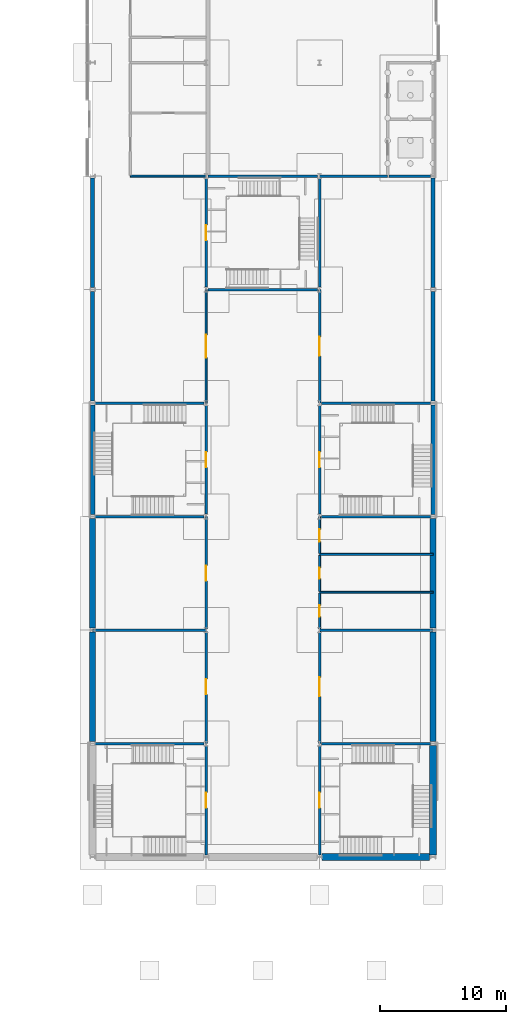
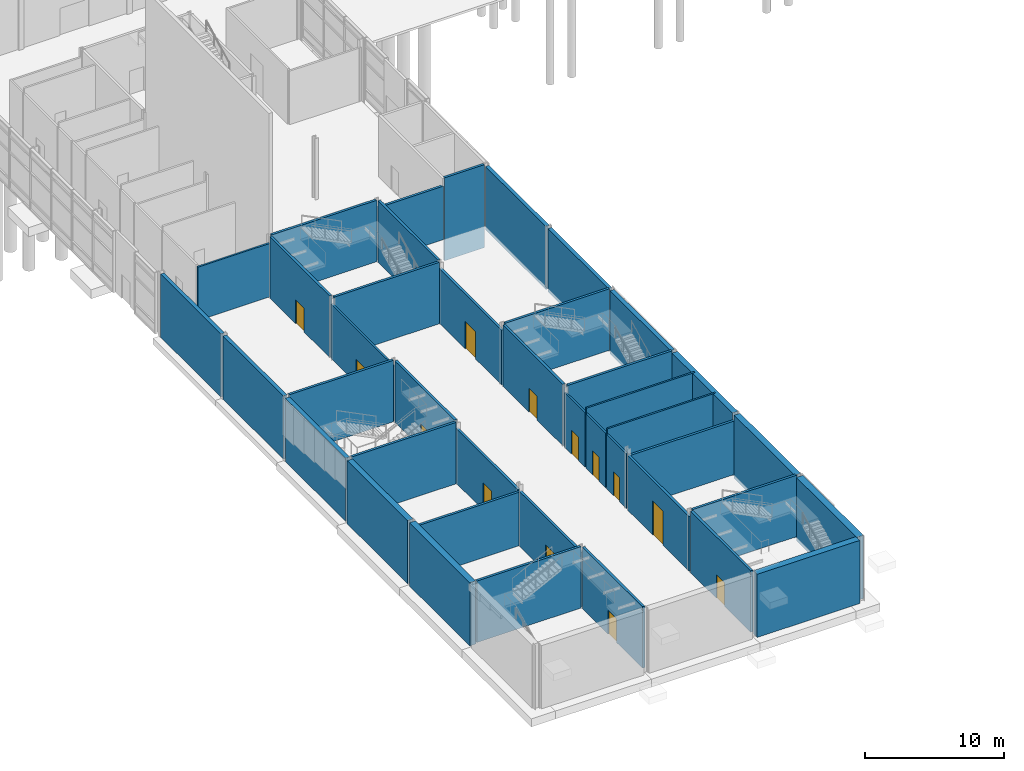
# One storey, part 26 of 45: 41 walls, 13 doors, 13 openings.
"""IFC4 building model written with IfcOpenShell, lengths in metres."""

from ifc_helpers import new_model, si_unit, direction, frame, frame_2d, origin, place, context, subcontext, project, spatial, rectangle, extrude, material, layer, layer_set, type_object, element, fill, save


model = new_model("IFC4")

# Units and contexts
model_context = context("Model", 3, precision=1e-05, world=origin(), true_north=direction((0.0, 1.0)))
body_context = subcontext(model_context, "Body", "Model", "MODEL_VIEW")
ifc_project = project(units=[si_unit("LENGTHUNIT", "METRE"), si_unit("AREAUNIT", "SQUARE_METRE"), si_unit("VOLUMEUNIT", "CUBIC_METRE"), si_unit("PLANEANGLEUNIT", "RADIAN"), si_unit("MASSUNIT", "GRAM", prefix="KILO")], contexts=[model_context])

# Site, building, storey
site_placement = place(None, origin())
site = spatial("IfcSite", under=ifc_project, at=site_placement, CompositionType="ELEMENT")
building_placement = place(site_placement, origin())
building = spatial("IfcBuilding", under=site, at=building_placement, Name="Azimuth Sports and Learning Centre", CompositionType="ELEMENT")
storey_placement = place(building_placement, origin())
storey = spatial("IfcBuildingStorey", under=building, at=storey_placement, Name="L00", CompositionType="ELEMENT", Elevation=0.0)

# Walls
ifc_material_1 = material(Name="Lightweight blockwork, rendered", Category="masonry")
ifc_layer_1 = layer(ifc_material_1, 0.14990234375)
ifc_layer_set_1 = layer_set([ifc_layer_1], Name="Lightweight blockwork, rendered")
wall_type_1 = type_object("IfcWallType", Name="Partition 150 EI 60", PredefinedType="PARTITIONING", material=ifc_layer_set_1)
for number, where, z_axis, x_axis, name in (
    (1, (90.0, 21.0, 0.0), (0.0, 0.0, 1.0), (1.0, 0.0, 0.0), "Partition 150 EI 60"),
    (2, (90.0, 24.0, 0.0), (0.0, 0.0, 1.0), (1.0, 0.0, 0.0), "Partition 150 EI 60"),
):
    element("IfcWall", number, at=place(storey_placement, frame(where, z_axis=z_axis, x_axis=x_axis)), inside=storey, type_object=wall_type_1, Name=name, PredefinedType="PARTITIONING", context=body_context, shape_type="SweptSolid", body=[
        extrude(rectangle(XDim=9.0, YDim=0.14990234375, at=frame_2d((4.5, 0.0))), origin(), (0.0, 0.0, 1.0), 5.25),
    ])
wall_1_placement = place(storey_placement, frame((75.0, 54.0, 0.0), z_axis=(0.0, 0.0, 1.0), x_axis=(1.0, 0.0, 0.0)))
element("IfcWall", 3, at=wall_1_placement, inside=storey, type_object=wall_type_1, Name="Partition 150 EI 60", PredefinedType="PARTITIONING", context=body_context, shape_type="SweptSolid", body=[
    extrude(rectangle(XDim=6.0, YDim=0.14990234375, at=frame_2d((3.0, 0.0))), origin(), (0.0, 0.0, 1.0), 4.699951171875),
])

# Wall, opening, door
wall_2_placement = place(storey_placement, frame((81.0, 36.0, 0.0), z_axis=(0.0, 0.0, 1.0), x_axis=(0.0, 1.0, 0.0)))
wall_2 = element("IfcWall", 4, at=wall_2_placement, inside=storey, type_object=wall_type_1, Name="Partition 150 EI 60", PredefinedType="PARTITIONING", context=body_context, shape_type="SweptSolid", body=[
    extrude(rectangle(XDim=9.0, YDim=0.14990234375, at=frame_2d((4.5, 0.0))), origin(), (0.0, 0.0, 1.0), 4.800048828125),
])
opening_1_placement = place(wall_2_placement, frame((3.60009765625, 0.0, 0.0)))
opening_1 = element("IfcOpeningElement", 5, at=opening_1_placement, cuts=wall_2, Name="Opening D00-089", PredefinedType="OPENING", context=body_context, shape_type="SweptSolid", body=[
    extrude(rectangle(XDim=1.800048828125, YDim=2.10009765625, at=frame_2d((0.89990234375, 1.050048828125))), frame((0.0, 0.0859375, 0.0), z_axis=(0.0, -1.0, 0.0), x_axis=(1.0, 0.0, 0.0)), (0.0, 0.0, 1.0), 0.171875),
])
ifc_material_2 = material(Name="Timber fire door set", Category="wood")
door_type_1 = type_object("IfcDoorType", Name="Timber door double 1800x2100 FD60", OperationType="DOUBLE_DOOR_SINGLE_SWING", PredefinedType="DOOR", material=ifc_material_2)
door_1_placement = place(opening_1_placement, origin())
door_1 = element("IfcDoor", 6, at=door_1_placement, inside=storey, type_object=door_type_1, Name="Door D00-089", OperationType="DOUBLE_DOOR_SINGLE_SWING", OverallHeight=2.10009765625, OverallWidth=1.800048828125, PredefinedType="DOOR", context=body_context, shape_type="SweptSolid", body=[
    extrude(rectangle(XDim=1.800048828125, YDim=2.10009765625, at=frame_2d((0.89990234375, 1.050048828125))), frame((0.0, 0.02490234375, 0.0), z_axis=(0.0, -1.0, 0.0), x_axis=(1.0, 0.0, 0.0)), (0.0, 0.0, 1.0), 0.050048828125),
])
fill(opening_1, door_1)

wall_3_placement = place(storey_placement, frame((90.0, 18.10009765625, 0.0), z_axis=(0.0, 0.0, 1.0), x_axis=(0.0, 1.0, 0.0)))
wall_3 = element("IfcWall", 7, at=wall_3_placement, inside=storey, type_object=wall_type_1, Name="Partition 150 EI 60", PredefinedType="PARTITIONING", context=body_context, shape_type="SweptSolid", body=[
    extrude(rectangle(XDim=2.824951171875, YDim=0.14990234375, at=frame_2d((1.41259765625, 0.0))), origin(), (0.0, 0.0, 1.0), 4.800048828125),
])
opening_2_placement = place(wall_3_placement, frame((0.949951171875, 0.0, 0.0)))
opening_2 = element("IfcOpeningElement", 8, at=opening_2_placement, cuts=wall_3, Name="Opening D00-106", PredefinedType="OPENING", context=body_context, shape_type="SweptSolid", body=[
    extrude(rectangle(XDim=0.89990234375, YDim=2.10009765625, at=frame_2d((0.449951171875, 1.050048828125))), frame((0.0, 0.0859375, 0.0), z_axis=(0.0, -1.0, 0.0), x_axis=(1.0, 0.0, 0.0)), (0.0, 0.0, 1.0), 0.171875),
])
ifc_material_3 = material(Name="Timber fire door set", Category="wood")
door_type_2 = type_object("IfcDoorType", Name="Timber door single 900x2100 FD60", OperationType="NOTDEFINED", PredefinedType="DOOR", material=ifc_material_3)
door_2_placement = place(opening_2_placement, frame((0.89990234375, 0.0, 0.0), z_axis=(0.0, 0.0, 1.0), x_axis=(-1.0, 0.0, 0.0)))
door_2 = element("IfcDoor", 9, at=door_2_placement, inside=storey, type_object=door_type_2, Name="Door D00-106", OperationType="SINGLE_SWING_RIGHT", OverallHeight=2.10009765625, OverallWidth=0.89990234375, PredefinedType="DOOR", context=body_context, shape_type="SweptSolid", body=[
    extrude(rectangle(XDim=0.89990234375, YDim=2.10009765625, at=frame_2d((0.449951171875, 1.050048828125))), frame((0.0, 0.02490234375, 0.0), z_axis=(0.0, -1.0, 0.0), x_axis=(1.0, 0.0, 0.0)), (0.0, 0.0, 1.0), 0.050048828125),
])
fill(opening_2, door_2)

wall_4_placement = place(storey_placement, frame((90.0, 21.074951171875, 0.0), z_axis=(0.0, 0.0, 1.0), x_axis=(0.0, 1.0, 0.0)))
wall_4 = element("IfcWall", 10, at=wall_4_placement, inside=storey, type_object=wall_type_1, Name="Partition 150 EI 60", PredefinedType="PARTITIONING", context=body_context, shape_type="SweptSolid", body=[
    extrude(rectangle(XDim=2.85009765625, YDim=0.14990234375, at=frame_2d((1.425048828125, 0.0))), origin(), (0.0, 0.0, 1.0), 4.800048828125),
])
opening_3_placement = place(wall_4_placement, frame((0.97509765625, 0.0, 0.0)))
opening_3 = element("IfcOpeningElement", 11, at=opening_3_placement, cuts=wall_4, Name="Opening D00-107", PredefinedType="OPENING", context=body_context, shape_type="SweptSolid", body=[
    extrude(rectangle(XDim=0.89990234375, YDim=2.10009765625, at=frame_2d((0.449951171875, 1.050048828125))), frame((0.0, 0.0859375, 0.0), z_axis=(0.0, -1.0, 0.0), x_axis=(1.0, 0.0, 0.0)), (0.0, 0.0, 1.0), 0.171875),
])
door_3_placement = place(opening_3_placement, frame((0.89990234375, 0.0, 0.0), z_axis=(0.0, 0.0, 1.0), x_axis=(-1.0, 0.0, 0.0)))
door_3 = element("IfcDoor", 12, at=door_3_placement, inside=storey, type_object=door_type_2, Name="Door D00-107", OperationType="SINGLE_SWING_RIGHT", OverallHeight=2.10009765625, OverallWidth=0.89990234375, PredefinedType="DOOR", context=body_context, shape_type="SweptSolid", body=[
    extrude(rectangle(XDim=0.89990234375, YDim=2.10009765625, at=frame_2d((0.449951171875, 1.050048828125))), frame((0.0, 0.02490234375, 0.0), z_axis=(0.0, -1.0, 0.0), x_axis=(1.0, 0.0, 0.0)), (0.0, 0.0, 1.0), 0.050048828125),
])
fill(opening_3, door_3)

wall_5_placement = place(storey_placement, frame((90.0, 24.074951171875, 0.0), z_axis=(0.0, 0.0, 1.0), x_axis=(0.0, 1.0, 0.0)))
wall_5 = element("IfcWall", 13, at=wall_5_placement, inside=storey, type_object=wall_type_1, Name="Partition 150 EI 60", PredefinedType="PARTITIONING", context=body_context, shape_type="SweptSolid", body=[
    extrude(rectangle(XDim=2.925048828125, YDim=0.14990234375, at=frame_2d((1.46240234375, 0.0))), origin(), (0.0, 0.0, 1.0), 4.800048828125),
])
opening_4_placement = place(wall_5_placement, frame((0.925048828125, 0.0, 0.0)))
opening_4 = element("IfcOpeningElement", 14, at=opening_4_placement, cuts=wall_5, Name="Opening D00-108", PredefinedType="OPENING", context=body_context, shape_type="SweptSolid", body=[
    extrude(rectangle(XDim=1.0, YDim=2.10009765625, at=frame_2d((0.5, 1.050048828125))), frame((0.0, 0.0859375, 0.0), z_axis=(0.0, -1.0, 0.0), x_axis=(1.0, 0.0, 0.0)), (0.0, 0.0, 1.0), 0.171875),
])
ifc_material_4 = material(Name="Timber fire door set", Category="wood")
door_type_3 = type_object("IfcDoorType", Name="Timber door single 1000x2100 FD60", OperationType="NOTDEFINED", PredefinedType="DOOR", material=ifc_material_4)
door_4_placement = place(opening_4_placement, frame((1.0, 0.0, 0.0), z_axis=(0.0, 0.0, 1.0), x_axis=(-1.0, 0.0, 0.0)))
door_4 = element("IfcDoor", 15, at=door_4_placement, inside=storey, type_object=door_type_3, Name="Door D00-108", OperationType="SINGLE_SWING_RIGHT", OverallHeight=2.10009765625, OverallWidth=1.0, PredefinedType="DOOR", context=body_context, shape_type="SweptSolid", body=[
    extrude(rectangle(XDim=1.0, YDim=2.10009765625, at=frame_2d((0.5, 1.050048828125))), frame((0.0, 0.02490234375, 0.0), z_axis=(0.0, -1.0, 0.0), x_axis=(1.0, 0.0, 0.0)), (0.0, 0.0, 1.0), 0.050048828125),
])
fill(opening_4, door_4)

# Walls
ifc_material_5 = material(Name="Reinforced masonry blockwork", Category="masonry")
ifc_layer_2 = layer(ifc_material_5, 0.199951171875)
ifc_layer_set_2 = layer_set([ifc_layer_2], Name="Reinforced masonry blockwork")
wall_type_2 = type_object("IfcWallType", Name="Plant and shaft wall 200 EI 120", PredefinedType="SOLIDWALL", material=ifc_layer_set_2)
for number, where, z_axis, x_axis, name in (
    (16, (72.0, 18.0, 0.0), (0.0, 0.0, 1.0), (1.0, 0.0, 0.0), "Plant and shaft wall 200 EI 120"),
    (17, (90.0, 18.0, 0.0), (0.0, 0.0, 1.0), (1.0, 0.0, 0.0), "Plant and shaft wall 200 EI 120"),
):
    element("IfcWall", number, at=place(storey_placement, frame(where, z_axis=z_axis, x_axis=x_axis)), inside=storey, type_object=wall_type_2, Name=name, PredefinedType="SOLIDWALL", context=body_context, shape_type="SweptSolid", body=[
        extrude(rectangle(XDim=9.0, YDim=0.199951171875, at=frame_2d((4.5, 0.0))), origin(), (0.0, 0.0, 1.0), 4.699951171875),
    ])
wall_6_placement = place(storey_placement, frame((90.0, 54.0, 0.0), z_axis=(0.0, 0.0, 1.0), x_axis=(1.0, 0.0, 0.0)))
element("IfcWall", 18, at=wall_6_placement, inside=storey, type_object=wall_type_2, Name="Plant and shaft wall 200 EI 120", PredefinedType="SOLIDWALL", context=body_context, shape_type="SweptSolid", body=[
    extrude(rectangle(XDim=5.39990234375, YDim=0.199951171875, at=frame_2d((2.699951171875, 0.0))), origin(), (0.0, 0.0, 1.0), 4.699951171875),
])

# Wall, opening, door
wall_7_placement = place(storey_placement, frame((81.0, 9.0, 0.0), z_axis=(0.0, 0.0, 1.0), x_axis=(0.0, 1.0, 0.0)))
wall_7 = element("IfcWall", 19, at=wall_7_placement, inside=storey, type_object=wall_type_2, Name="Plant and shaft wall 200 EI 120", PredefinedType="SOLIDWALL", context=body_context, shape_type="SweptSolid", body=[
    extrude(rectangle(XDim=8.89990234375, YDim=0.199951171875, at=frame_2d((4.449951171875, 0.0))), origin(), (0.0, 0.0, 1.0), 4.800048828125),
])
opening_5_placement = place(wall_7_placement, frame((3.89990234375, 0.0, 0.0)))
opening_5 = element("IfcOpeningElement", 20, at=opening_5_placement, cuts=wall_7, Name="Opening D00-090", PredefinedType="OPENING", context=body_context, shape_type="SweptSolid", body=[
    extrude(rectangle(XDim=1.199951171875, YDim=2.39990234375, at=frame_2d((0.60009765625, 1.199951171875))), frame((0.0, 0.11083984375, 0.0), z_axis=(0.0, -1.0, 0.0), x_axis=(1.0, 0.0, 0.0)), (0.0, 0.0, 1.0), 0.221923828125),
])
ifc_material_6 = material(Name="Steel fire door set", Category="steel")
door_type_4 = type_object("IfcDoorType", Name="Steel door single 1200x2400 FD120", OperationType="NOTDEFINED", PredefinedType="DOOR", material=ifc_material_6)
door_5_placement = place(opening_5_placement, origin())
door_5 = element("IfcDoor", 21, at=door_5_placement, inside=storey, type_object=door_type_4, Name="Door D00-090", OperationType="SINGLE_SWING_RIGHT", OverallHeight=2.39990234375, OverallWidth=1.199951171875, PredefinedType="DOOR", context=body_context, shape_type="SweptSolid", body=[
    extrude(rectangle(XDim=1.199951171875, YDim=2.39990234375, at=frame_2d((0.60009765625, 1.199951171875))), frame((0.0, 0.02490234375, 0.0), z_axis=(0.0, -1.0, 0.0), x_axis=(1.0, 0.0, 0.0)), (0.0, 0.0, 1.0), 0.050048828125),
])
fill(opening_5, door_5)

wall_8_placement = place(storey_placement, frame((81.0, 18.10009765625, 0.0), z_axis=(0.0, 0.0, 1.0), x_axis=(0.0, 1.0, 0.0)))
wall_8 = element("IfcWall", 22, at=wall_8_placement, inside=storey, type_object=wall_type_2, Name="Plant and shaft wall 200 EI 120", PredefinedType="SOLIDWALL", context=body_context, shape_type="SweptSolid", body=[
    extrude(rectangle(XDim=8.89990234375, YDim=0.199951171875, at=frame_2d((4.449951171875, 0.0))), origin(), (0.0, 0.0, 1.0), 4.800048828125),
])
opening_6_placement = place(wall_8_placement, frame((3.800048828125, 0.0, 0.0)))
opening_6 = element("IfcOpeningElement", 23, at=opening_6_placement, cuts=wall_8, Name="Opening D00-091", PredefinedType="OPENING", context=body_context, shape_type="SweptSolid", body=[
    extrude(rectangle(XDim=1.199951171875, YDim=2.39990234375, at=frame_2d((0.60009765625, 1.199951171875))), frame((0.0, 0.11083984375, 0.0), z_axis=(0.0, -1.0, 0.0), x_axis=(1.0, 0.0, 0.0)), (0.0, 0.0, 1.0), 0.221923828125),
])
door_6_placement = place(opening_6_placement, origin())
door_6 = element("IfcDoor", 24, at=door_6_placement, inside=storey, type_object=door_type_4, Name="Door D00-091", OperationType="SINGLE_SWING_LEFT", OverallHeight=2.39990234375, OverallWidth=1.199951171875, PredefinedType="DOOR", context=body_context, shape_type="SweptSolid", body=[
    extrude(rectangle(XDim=1.199951171875, YDim=2.39990234375, at=frame_2d((0.60009765625, 1.199951171875))), frame((0.0, 0.02490234375, 0.0), z_axis=(0.0, -1.0, 0.0), x_axis=(1.0, 0.0, 0.0)), (0.0, 0.0, 1.0), 0.050048828125),
])
fill(opening_6, door_6)

wall_9_placement = place(storey_placement, frame((90.0, 9.0, 0.0), z_axis=(0.0, 0.0, 1.0), x_axis=(0.0, 1.0, 0.0)))
wall_9 = element("IfcWall", 25, at=wall_9_placement, inside=storey, type_object=wall_type_2, Name="Plant and shaft wall 200 EI 120", PredefinedType="SOLIDWALL", context=body_context, shape_type="SweptSolid", body=[
    extrude(rectangle(XDim=8.89990234375, YDim=0.199951171875, at=frame_2d((4.449951171875, 0.0))), origin(), (0.0, 0.0, 1.0), 4.800048828125),
])
opening_7_placement = place(wall_9_placement, frame((3.75, 0.0, 0.0)))
opening_7 = element("IfcOpeningElement", 26, at=opening_7_placement, cuts=wall_9, Name="Opening D00-092", PredefinedType="OPENING", context=body_context, shape_type="SweptSolid", body=[
    extrude(rectangle(XDim=1.5, YDim=3.0, at=frame_2d((0.75, 1.5))), frame((0.0, 0.11083984375, 0.0), z_axis=(0.0, -1.0, 0.0), x_axis=(1.0, 0.0, 0.0)), (0.0, 0.0, 1.0), 0.221923828125),
])
ifc_material_7 = material(Name="Steel fire door set", Category="steel")
door_type_5 = type_object("IfcDoorType", Name="Steel door double 1500x3000 FD120", OperationType="DOUBLE_DOOR_SINGLE_SWING", PredefinedType="DOOR", material=ifc_material_7)
door_7_placement = place(opening_7_placement, frame((1.5, 0.0, 0.0), z_axis=(0.0, 0.0, 1.0), x_axis=(-1.0, 0.0, 0.0)))
door_7 = element("IfcDoor", 27, at=door_7_placement, inside=storey, type_object=door_type_5, Name="Door D00-092", OperationType="DOUBLE_DOOR_SINGLE_SWING", OverallHeight=3.0, OverallWidth=1.5, PredefinedType="DOOR", context=body_context, shape_type="SweptSolid", body=[
    extrude(rectangle(XDim=1.5, YDim=3.0, at=frame_2d((0.75, 1.5))), frame((0.0, 0.02490234375, 0.0), z_axis=(0.0, -1.0, 0.0), x_axis=(1.0, 0.0, 0.0)), (0.0, 0.0, 1.0), 0.050048828125),
])
fill(opening_7, door_7)

wall_10_placement = place(storey_placement, frame((90.0, 36.0, 0.0), z_axis=(0.0, 0.0, 1.0), x_axis=(0.0, 1.0, 0.0)))
wall_10 = element("IfcWall", 28, at=wall_10_placement, inside=storey, type_object=wall_type_2, Name="Plant and shaft wall 200 EI 120", PredefinedType="SOLIDWALL", context=body_context, shape_type="SweptSolid", body=[
    extrude(rectangle(XDim=9.0, YDim=0.199951171875, at=frame_2d((4.5, 0.0))), origin(), (0.0, 0.0, 1.0), 4.800048828125),
])
opening_8_placement = place(wall_10_placement, frame((3.75, 0.0, 0.0)))
opening_8 = element("IfcOpeningElement", 29, at=opening_8_placement, cuts=wall_10, Name="Opening D00-093", PredefinedType="OPENING", context=body_context, shape_type="SweptSolid", body=[
    extrude(rectangle(XDim=1.5, YDim=2.39990234375, at=frame_2d((0.75, 1.199951171875))), frame((0.0, 0.11083984375, 0.0), z_axis=(0.0, -1.0, 0.0), x_axis=(1.0, 0.0, 0.0)), (0.0, 0.0, 1.0), 0.221923828125),
])
ifc_material_8 = material(Name="Steel fire door set", Category="steel")
door_type_6 = type_object("IfcDoorType", Name="Steel door double 1500x2400 FD120", OperationType="DOUBLE_DOOR_SINGLE_SWING", PredefinedType="DOOR", material=ifc_material_8)
door_8_placement = place(opening_8_placement, frame((1.5, 0.0, 0.0), z_axis=(0.0, 0.0, 1.0), x_axis=(-1.0, 0.0, 0.0)))
door_8 = element("IfcDoor", 30, at=door_8_placement, inside=storey, type_object=door_type_6, Name="Door D00-093", OperationType="DOUBLE_DOOR_SINGLE_SWING", OverallHeight=2.39990234375, OverallWidth=1.5, PredefinedType="DOOR", context=body_context, shape_type="SweptSolid", body=[
    extrude(rectangle(XDim=1.5, YDim=2.39990234375, at=frame_2d((0.75, 1.199951171875))), frame((0.0, 0.02490234375, 0.0), z_axis=(0.0, -1.0, 0.0), x_axis=(1.0, 0.0, 0.0)), (0.0, 0.0, 1.0), 0.050048828125),
])
fill(opening_8, door_8)

# Wall
ifc_material_9 = material(Name="Concrete C40/50", Category="concrete")
ifc_layer_3 = layer(ifc_material_9, 0.199951171875)
ifc_layer_set_3 = layer_set([ifc_layer_3], Name="Concrete C40/50")
wall_type_3 = type_object("IfcWallType", Name="RC cell wall 200 EI 120", PredefinedType="SHEAR", material=ifc_layer_set_3)
wall_11_placement = place(storey_placement, frame((72.199951171875, 9.0, 0.0), z_axis=(0.0, 0.0, 1.0), x_axis=(1.0, 0.0, 0.0)))
element("IfcWall", 31, at=wall_11_placement, inside=storey, type_object=wall_type_3, Name="CE-ST1-N-L00", PredefinedType="SHEAR", context=body_context, shape_type="SweptSolid", body=[
    extrude(rectangle(XDim=8.650146484375, YDim=0.199951171875, at=frame_2d((4.3251953125, 0.0))), origin(), (0.0, 0.0, 1.0), 5.39990234375),
])

# Wall, opening, door
wall_12_placement = place(storey_placement, frame((81.0, 0.14990234375, 0.0), z_axis=(0.0, 0.0, 1.0), x_axis=(0.0, 1.0, 0.0)))
wall_12 = element("IfcWall", 32, at=wall_12_placement, inside=storey, type_object=wall_type_3, Name="CE-ST1-E-L00", PredefinedType="SHEAR", context=body_context, shape_type="SweptSolid", body=[
    extrude(rectangle(XDim=8.650146484375, YDim=0.199951171875, at=frame_2d((4.3251953125, 0.0))), origin(), (0.0, 0.0, 1.0), 5.39990234375),
])
opening_9_placement = place(wall_12_placement, frame((3.75, 0.0, 0.0)))
opening_9 = element("IfcOpeningElement", 33, at=opening_9_placement, cuts=wall_12, Name="Opening D00-048", PredefinedType="OPENING", context=body_context, shape_type="SweptSolid", body=[
    extrude(rectangle(XDim=1.199951171875, YDim=2.10009765625, at=frame_2d((0.60009765625, 1.050048828125))), frame((0.0, 0.11083984375, 0.0), z_axis=(0.0, -1.0, 0.0), x_axis=(1.0, 0.0, 0.0)), (0.0, 0.0, 1.0), 0.221923828125),
])
ifc_material_10 = material(Name="Steel", Category="steel")
door_type_7 = type_object("IfcDoorType", Name="Stair fire door 1200 x 2100", OperationType="NOTDEFINED", PredefinedType="DOOR", material=ifc_material_10)
door_9_placement = place(opening_9_placement, frame((1.199951171875, 0.0, 0.0), z_axis=(0.0, 0.0, 1.0), x_axis=(-1.0, 0.0, 0.0)))
door_9 = element("IfcDoor", 34, at=door_9_placement, inside=storey, type_object=door_type_7, Name="Stair door ST1 L00", OperationType="SINGLE_SWING_LEFT", OverallHeight=2.10009765625, OverallWidth=1.199951171875, PredefinedType="DOOR", context=body_context, shape_type="SweptSolid", body=[
    extrude(rectangle(XDim=1.199951171875, YDim=2.10009765625, at=frame_2d((0.60009765625, 1.050048828125))), frame((0.0, 0.02490234375, 0.0), z_axis=(0.0, -1.0, 0.0), x_axis=(1.0, 0.0, 0.0)), (0.0, 0.0, 1.0), 0.050048828125),
])
fill(opening_9, door_9)

# Wall
wall_13_placement = place(storey_placement, frame((90.14990234375, 9.0, 0.0), z_axis=(0.0, 0.0, 1.0), x_axis=(1.0, 0.0, 0.0)))
element("IfcWall", 35, at=wall_13_placement, inside=storey, type_object=wall_type_3, Name="CE-ST2-N-L00", PredefinedType="SHEAR", context=body_context, shape_type="SweptSolid", body=[
    extrude(rectangle(XDim=8.650146484375, YDim=0.199951171875, at=frame_2d((4.3251953125, 0.0))), origin(), (0.0, 0.0, 1.0), 5.39990234375),
])

# Wall, opening, door
wall_14_placement = place(storey_placement, frame((90.0, 0.14990234375, 0.0), z_axis=(0.0, 0.0, 1.0), x_axis=(0.0, 1.0, 0.0)))
wall_14 = element("IfcWall", 36, at=wall_14_placement, inside=storey, type_object=wall_type_3, Name="CE-ST2-W-L00", PredefinedType="SHEAR", context=body_context, shape_type="SweptSolid", body=[
    extrude(rectangle(XDim=8.650146484375, YDim=0.199951171875, at=frame_2d((4.3251953125, 0.0))), origin(), (0.0, 0.0, 1.0), 5.39990234375),
])
opening_10_placement = place(wall_14_placement, frame((3.75, 0.0, 0.0)))
opening_10 = element("IfcOpeningElement", 37, at=opening_10_placement, cuts=wall_14, Name="Opening D00-049", PredefinedType="OPENING", context=body_context, shape_type="SweptSolid", body=[
    extrude(rectangle(XDim=1.199951171875, YDim=2.10009765625, at=frame_2d((0.60009765625, 1.050048828125))), frame((0.0, 0.11083984375, 0.0), z_axis=(0.0, -1.0, 0.0), x_axis=(1.0, 0.0, 0.0)), (0.0, 0.0, 1.0), 0.221923828125),
])
door_10_placement = place(opening_10_placement, origin())
door_10 = element("IfcDoor", 38, at=door_10_placement, inside=storey, type_object=door_type_7, Name="Stair door ST2 L00", OperationType="SINGLE_SWING_RIGHT", OverallHeight=2.10009765625, OverallWidth=1.199951171875, PredefinedType="DOOR", context=body_context, shape_type="SweptSolid", body=[
    extrude(rectangle(XDim=1.199951171875, YDim=2.10009765625, at=frame_2d((0.60009765625, 1.050048828125))), frame((0.0, 0.02490234375, 0.0), z_axis=(0.0, -1.0, 0.0), x_axis=(1.0, 0.0, 0.0)), (0.0, 0.0, 1.0), 0.050048828125),
])
fill(opening_10, door_10)

# Walls
for number, where, z_axis, x_axis, name in (
    (39, (72.199951171875, 27.0, 0.0), (0.0, 0.0, 1.0), (1.0, 0.0, 0.0), "CE-ST3-S-L00"),
    (40, (72.199951171875, 36.0, 0.0), (0.0, 0.0, 1.0), (1.0, 0.0, 0.0), "CE-ST3-N-L00"),
):
    element("IfcWall", number, at=place(storey_placement, frame(where, z_axis=z_axis, x_axis=x_axis)), inside=storey, type_object=wall_type_3, Name=name, PredefinedType="SHEAR", context=body_context, shape_type="SweptSolid", body=[
        extrude(rectangle(XDim=8.650146484375, YDim=0.199951171875, at=frame_2d((4.3251953125, 0.0))), origin(), (0.0, 0.0, 1.0), 5.39990234375),
    ])

# Wall, opening, door
wall_15_placement = place(storey_placement, frame((81.0, 27.199951171875, 0.0), z_axis=(0.0, 0.0, 1.0), x_axis=(0.0, 1.0, 0.0)))
wall_15 = element("IfcWall", 41, at=wall_15_placement, inside=storey, type_object=wall_type_3, Name="CE-ST3-E-L00", PredefinedType="SHEAR", context=body_context, shape_type="SweptSolid", body=[
    extrude(rectangle(XDim=8.60009765625, YDim=0.199951171875, at=frame_2d((4.300048828125, 0.0))), origin(), (0.0, 0.0, 1.0), 5.39990234375),
])
opening_11_placement = place(wall_15_placement, frame((3.699951171875, 0.0, 0.0)))
opening_11 = element("IfcOpeningElement", 42, at=opening_11_placement, cuts=wall_15, Name="Opening D00-050", PredefinedType="OPENING", context=body_context, shape_type="SweptSolid", body=[
    extrude(rectangle(XDim=1.199951171875, YDim=2.10009765625, at=frame_2d((0.60009765625, 1.050048828125))), frame((0.0, 0.11083984375, 0.0), z_axis=(0.0, -1.0, 0.0), x_axis=(1.0, 0.0, 0.0)), (0.0, 0.0, 1.0), 0.221923828125),
])
door_11_placement = place(opening_11_placement, frame((1.199951171875, 0.0, 0.0), z_axis=(0.0, 0.0, 1.0), x_axis=(-1.0, 0.0, 0.0)))
door_11 = element("IfcDoor", 43, at=door_11_placement, inside=storey, type_object=door_type_7, Name="Stair door ST3 L00", OperationType="SINGLE_SWING_LEFT", OverallHeight=2.10009765625, OverallWidth=1.199951171875, PredefinedType="DOOR", context=body_context, shape_type="SweptSolid", body=[
    extrude(rectangle(XDim=1.199951171875, YDim=2.10009765625, at=frame_2d((0.60009765625, 1.050048828125))), frame((0.0, 0.02490234375, 0.0), z_axis=(0.0, -1.0, 0.0), x_axis=(1.0, 0.0, 0.0)), (0.0, 0.0, 1.0), 0.050048828125),
])
fill(opening_11, door_11)

# Walls
for number, where, z_axis, x_axis, name in (
    (44, (90.14990234375, 27.0, 0.0), (0.0, 0.0, 1.0), (1.0, 0.0, 0.0), "CE-ST4-S-L00"),
    (45, (90.14990234375, 36.0, 0.0), (0.0, 0.0, 1.0), (1.0, 0.0, 0.0), "CE-ST4-N-L00"),
):
    element("IfcWall", number, at=place(storey_placement, frame(where, z_axis=z_axis, x_axis=x_axis)), inside=storey, type_object=wall_type_3, Name=name, PredefinedType="SHEAR", context=body_context, shape_type="SweptSolid", body=[
        extrude(rectangle(XDim=8.650146484375, YDim=0.199951171875, at=frame_2d((4.3251953125, 0.0))), origin(), (0.0, 0.0, 1.0), 5.39990234375),
    ])

# Wall, opening, door
wall_16_placement = place(storey_placement, frame((90.0, 27.199951171875, 0.0), z_axis=(0.0, 0.0, 1.0), x_axis=(0.0, 1.0, 0.0)))
wall_16 = element("IfcWall", 46, at=wall_16_placement, inside=storey, type_object=wall_type_3, Name="CE-ST4-W-L00", PredefinedType="SHEAR", context=body_context, shape_type="SweptSolid", body=[
    extrude(rectangle(XDim=8.60009765625, YDim=0.199951171875, at=frame_2d((4.300048828125, 0.0))), origin(), (0.0, 0.0, 1.0), 5.39990234375),
])
opening_12_placement = place(wall_16_placement, frame((3.699951171875, 0.0, 0.0)))
opening_12 = element("IfcOpeningElement", 47, at=opening_12_placement, cuts=wall_16, Name="Opening D00-051", PredefinedType="OPENING", context=body_context, shape_type="SweptSolid", body=[
    extrude(rectangle(XDim=1.199951171875, YDim=2.10009765625, at=frame_2d((0.60009765625, 1.050048828125))), frame((0.0, 0.11083984375, 0.0), z_axis=(0.0, -1.0, 0.0), x_axis=(1.0, 0.0, 0.0)), (0.0, 0.0, 1.0), 0.221923828125),
])
door_12_placement = place(opening_12_placement, origin())
door_12 = element("IfcDoor", 48, at=door_12_placement, inside=storey, type_object=door_type_7, Name="Stair door ST4 L00", OperationType="SINGLE_SWING_RIGHT", OverallHeight=2.10009765625, OverallWidth=1.199951171875, PredefinedType="DOOR", context=body_context, shape_type="SweptSolid", body=[
    extrude(rectangle(XDim=1.199951171875, YDim=2.10009765625, at=frame_2d((0.60009765625, 1.050048828125))), frame((0.0, 0.02490234375, 0.0), z_axis=(0.0, -1.0, 0.0), x_axis=(1.0, 0.0, 0.0)), (0.0, 0.0, 1.0), 0.050048828125),
])
fill(opening_12, door_12)

# Walls
for number, where, z_axis, x_axis, name in (
    (49, (81.14990234375, 45.0, 0.0), (0.0, 0.0, 1.0), (1.0, 0.0, 0.0), "CE-STC-S-L00"),
    (50, (81.14990234375, 54.0, 0.0), (0.0, 0.0, 1.0), (1.0, 0.0, 0.0), "CE-STC-N-L00"),
):
    element("IfcWall", number, at=place(storey_placement, frame(where, z_axis=z_axis, x_axis=x_axis)), inside=storey, type_object=wall_type_3, Name=name, PredefinedType="SHEAR", context=body_context, shape_type="SweptSolid", body=[
        extrude(rectangle(XDim=8.7001953125, YDim=0.199951171875, at=frame_2d((4.35009765625, 0.0))), origin(), (0.0, 0.0, 1.0), 5.39990234375),
    ])

# Wall, opening, door
wall_17_placement = place(storey_placement, frame((81.0, 45.199951171875, 0.0), z_axis=(0.0, 0.0, 1.0), x_axis=(0.0, 1.0, 0.0)))
wall_17 = element("IfcWall", 51, at=wall_17_placement, inside=storey, type_object=wall_type_3, Name="CE-STC-W-L00", PredefinedType="SHEAR", context=body_context, shape_type="SweptSolid", body=[
    extrude(rectangle(XDim=8.60009765625, YDim=0.199951171875, at=frame_2d((4.300048828125, 0.0))), origin(), (0.0, 0.0, 1.0), 5.39990234375),
])
opening_13_placement = place(wall_17_placement, frame((3.699951171875, 0.0, 0.0)))
opening_13 = element("IfcOpeningElement", 52, at=opening_13_placement, cuts=wall_17, Name="Opening D00-052", PredefinedType="OPENING", context=body_context, shape_type="SweptSolid", body=[
    extrude(rectangle(XDim=1.199951171875, YDim=2.10009765625, at=frame_2d((0.60009765625, 1.050048828125))), frame((0.0, 0.11083984375, 0.0), z_axis=(0.0, -1.0, 0.0), x_axis=(1.0, 0.0, 0.0)), (0.0, 0.0, 1.0), 0.221923828125),
])
door_13_placement = place(opening_13_placement, origin())
door_13 = element("IfcDoor", 53, at=door_13_placement, inside=storey, type_object=door_type_7, Name="Stair door STC L00", OperationType="SINGLE_SWING_RIGHT", OverallHeight=2.10009765625, OverallWidth=1.199951171875, PredefinedType="DOOR", context=body_context, shape_type="SweptSolid", body=[
    extrude(rectangle(XDim=1.199951171875, YDim=2.10009765625, at=frame_2d((0.60009765625, 1.050048828125))), frame((0.0, 0.02490234375, 0.0), z_axis=(0.0, -1.0, 0.0), x_axis=(1.0, 0.0, 0.0)), (0.0, 0.0, 1.0), 0.050048828125),
])
fill(opening_13, door_13)

# Walls
wall_18_placement = place(storey_placement, frame((90.0, 45.199951171875, 0.0), z_axis=(0.0, 0.0, 1.0), x_axis=(0.0, 1.0, 0.0)))
element("IfcWall", 54, at=wall_18_placement, inside=storey, type_object=wall_type_3, Name="CE-STC-E-L00", PredefinedType="SHEAR", context=body_context, shape_type="SweptSolid", body=[
    extrude(rectangle(XDim=8.60009765625, YDim=0.199951171875, at=frame_2d((4.300048828125, 0.0))), origin(), (0.0, 0.0, 1.0), 5.39990234375),
])
wall_19_placement = place(storey_placement, frame((95.5, 54.0, -1.89990234375), z_axis=(0.0, 0.0, 1.0), x_axis=(1.0, 0.0, 0.0)))
element("IfcWall", 55, at=wall_19_placement, inside=storey, type_object=wall_type_3, Name="CE-STL-S-L00", PredefinedType="SHEAR", context=body_context, shape_type="SweptSolid", body=[
    extrude(rectangle(XDim=3.300048828125, YDim=0.199951171875, at=frame_2d((1.64990234375, 0.0))), origin(), (0.0, 0.0, 1.0), 7.2998046875),
])
ifc_material_11 = material(Name="Concrete C30/37", Category="concrete")
ifc_layer_4 = layer(ifc_material_11, 0.300048828125)
ifc_layer_set_4 = layer_set([ifc_layer_4], Name="Concrete C30/37")
wall_type_4 = type_object("IfcWallType", Name="RC retaining wall 300", PredefinedType="SOLIDWALL", material=ifc_layer_set_4)
for number, where, z_axis, x_axis, name in (
    (56, (72.0, 36.14990234375, -0.300048828125), (0.0, 0.0, 1.0), (0.0, 1.0, 0.0), "Retaining wall W5"),
    (57, (72.0, 45.14990234375, -0.300048828125), (0.0, 0.0, 1.0), (0.0, 1.0, 0.0), "Retaining wall W6"),
    (58, (99.0, 36.14990234375, -0.300048828125), (0.0, 0.0, 1.0), (0.0, 1.0, 0.0), "Retaining wall E5"),
    (59, (99.0, 45.14990234375, -0.300048828125), (0.0, 0.0, 1.0), (0.0, 1.0, 0.0), "Retaining wall E6"),
):
    element("IfcWall", number, at=place(storey_placement, frame(where, z_axis=z_axis, x_axis=x_axis)), inside=storey, type_object=wall_type_4, Name=name, PredefinedType="SOLIDWALL", context=body_context, shape_type="SweptSolid", body=[
        extrude(rectangle(XDim=8.7001953125, YDim=0.300048828125, at=frame_2d((4.35009765625, 0.0))), origin(), (0.0, 0.0, 1.0), 5.550048828125),
    ])
ifc_material_12 = material(Name="Concrete C30/37", Category="concrete")
ifc_layer_5 = layer(ifc_material_12, 0.35009765625)
ifc_layer_set_5 = layer_set([ifc_layer_5], Name="Concrete C30/37")
wall_type_5 = type_object("IfcWallType", Name="RC retaining wall 350", PredefinedType="SOLIDWALL", material=ifc_layer_set_5)
for number, where, z_axis, x_axis, name in (
    (60, (72.0, 27.14990234375, -0.300048828125), (0.0, 0.0, 1.0), (0.0, 1.0, 0.0), "Retaining wall W4"),
    (61, (99.0, 27.14990234375, -0.300048828125), (0.0, 0.0, 1.0), (0.0, 1.0, 0.0), "Retaining wall E4"),
):
    element("IfcWall", number, at=place(storey_placement, frame(where, z_axis=z_axis, x_axis=x_axis)), inside=storey, type_object=wall_type_5, Name=name, PredefinedType="SOLIDWALL", context=body_context, shape_type="SweptSolid", body=[
        extrude(rectangle(XDim=8.7001953125, YDim=0.35009765625, at=frame_2d((4.35009765625, 0.0))), origin(), (0.0, 0.0, 1.0), 5.550048828125),
    ])
ifc_material_13 = material(Name="Concrete C30/37", Category="concrete")
ifc_layer_6 = layer(ifc_material_13, 0.449951171875)
ifc_layer_set_6 = layer_set([ifc_layer_6], Name="Concrete C30/37")
wall_type_6 = type_object("IfcWallType", Name="RC retaining wall 450", PredefinedType="SOLIDWALL", material=ifc_layer_set_6)
for number, where, z_axis, x_axis, name in (
    (62, (72.0, 18.14990234375, -0.300048828125), (0.0, 0.0, 1.0), (0.0, 1.0, 0.0), "Retaining wall W3"),
    (63, (99.0, 18.14990234375, -0.300048828125), (0.0, 0.0, 1.0), (0.0, 1.0, 0.0), "Retaining wall E3"),
):
    element("IfcWall", number, at=place(storey_placement, frame(where, z_axis=z_axis, x_axis=x_axis)), inside=storey, type_object=wall_type_6, Name=name, PredefinedType="SOLIDWALL", context=body_context, shape_type="SweptSolid", body=[
        extrude(rectangle(XDim=8.7001953125, YDim=0.449951171875, at=frame_2d((4.35009765625, 0.0))), origin(), (0.0, 0.0, 1.0), 5.550048828125),
    ])
ifc_material_14 = material(Name="Concrete C30/37", Category="concrete")
ifc_layer_7 = layer(ifc_material_14, 0.5)
ifc_layer_set_7 = layer_set([ifc_layer_7], Name="Concrete C30/37")
wall_type_7 = type_object("IfcWallType", Name="RC retaining wall 500", PredefinedType="SOLIDWALL", material=ifc_layer_set_7)
for number, where, z_axis, x_axis, name in (
    (64, (72.0, 9.14990234375, -0.300048828125), (0.0, 0.0, 1.0), (0.0, 1.0, 0.0), "Retaining wall W2"),
    (65, (99.0, 9.14990234375, -0.300048828125), (0.0, 0.0, 1.0), (0.0, 1.0, 0.0), "Retaining wall E2"),
):
    element("IfcWall", number, at=place(storey_placement, frame(where, z_axis=z_axis, x_axis=x_axis)), inside=storey, type_object=wall_type_7, Name=name, PredefinedType="SOLIDWALL", context=body_context, shape_type="SweptSolid", body=[
        extrude(rectangle(XDim=8.7001953125, YDim=0.5, at=frame_2d((4.35009765625, 0.0))), origin(), (0.0, 0.0, 1.0), 5.550048828125),
    ])
ifc_material_15 = material(Name="Concrete C30/37", Category="concrete")
ifc_layer_8 = layer(ifc_material_15, 0.550048828125)
ifc_layer_set_8 = layer_set([ifc_layer_8], Name="Concrete C30/37")
wall_type_8 = type_object("IfcWallType", Name="RC retaining wall 550", PredefinedType="SOLIDWALL", material=ifc_layer_set_8)
wall_20_placement = place(storey_placement, frame((99.0, 0.14990234375, -0.300048828125), z_axis=(0.0, 0.0, 1.0), x_axis=(0.0, 1.0, 0.0)))
element("IfcWall", 66, at=wall_20_placement, inside=storey, type_object=wall_type_8, Name="Retaining wall E1", PredefinedType="SOLIDWALL", context=body_context, shape_type="SweptSolid", body=[
    extrude(rectangle(XDim=8.7001953125, YDim=0.550048828125, at=frame_2d((4.35009765625, 0.0))), origin(), (0.0, 0.0, 1.0), 5.550048828125),
])
wall_21_placement = place(storey_placement, frame((90.199951171875, 0.0, -0.300048828125), z_axis=(0.0, 0.0, 1.0), x_axis=(1.0, 0.0, 0.0)))
element("IfcWall", 67, at=wall_21_placement, inside=storey, type_object=wall_type_8, Name="Retaining wall S3", PredefinedType="SOLIDWALL", context=body_context, shape_type="SweptSolid", body=[
    extrude(rectangle(XDim=8.525146484375, YDim=0.550048828125, at=frame_2d((4.2626953125, 0.0))), origin(), (0.0, 0.0, 1.0), 5.550048828125),
])

save(model, "model.ifc")
